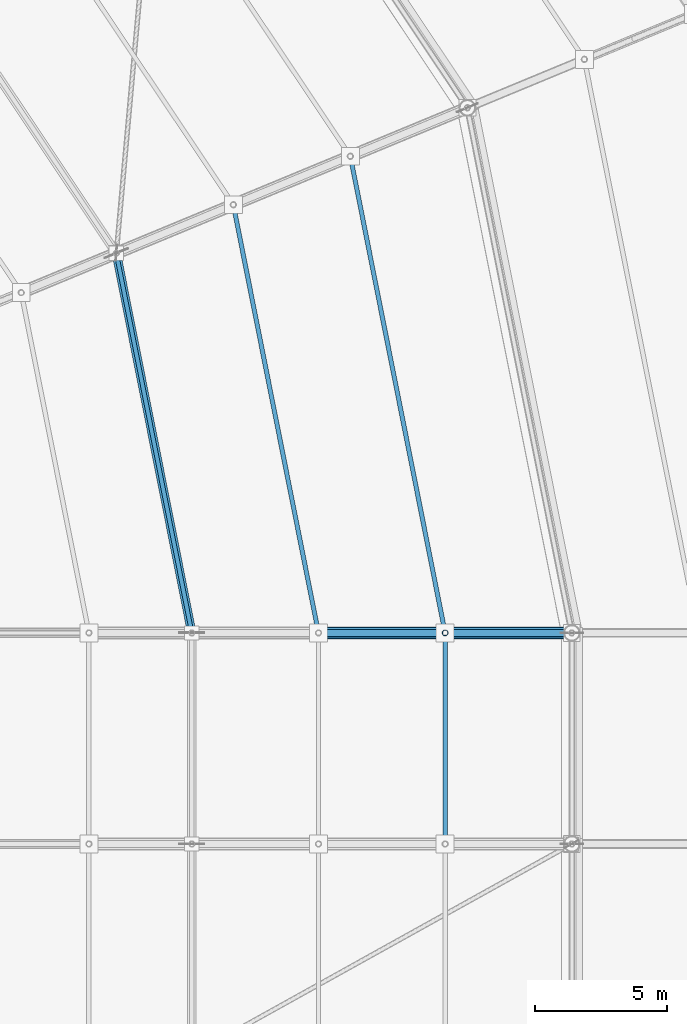
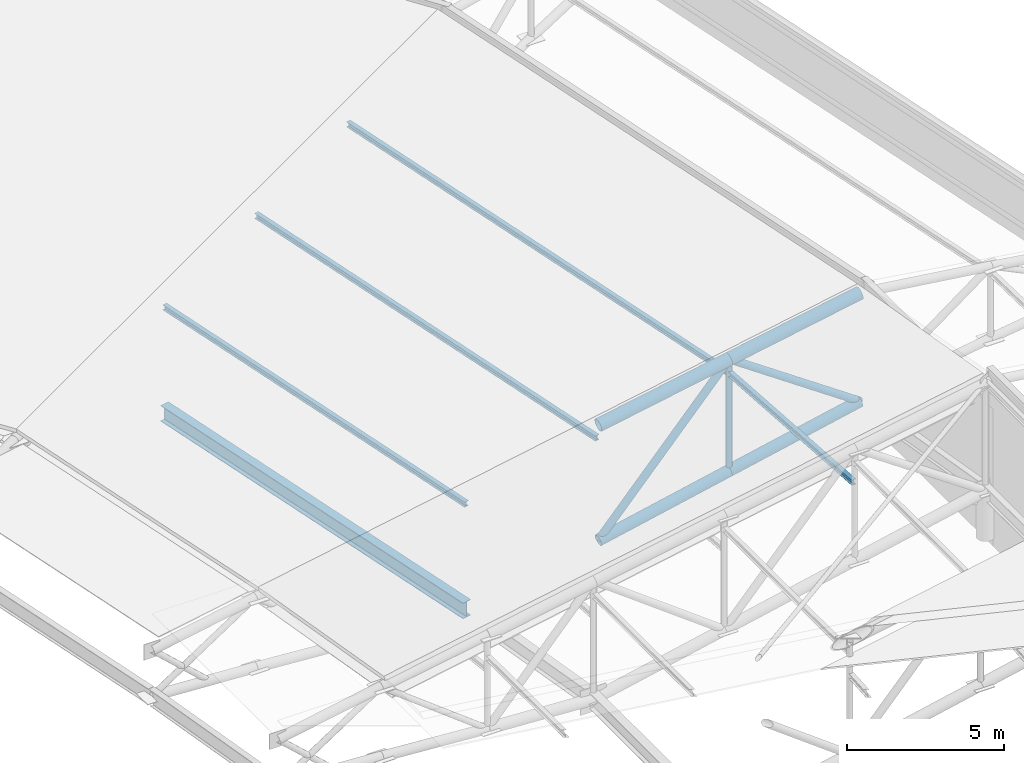
# One storey, part 76 of 146: 11 members, 1 beam.
"""IFC4 building model written with IfcOpenShell, lengths in metres."""

from ifc_helpers import new_model, si_unit, direction, frame, origin, origin_2d, place, context, subcontext, project, spatial, hollow_circle, i_section, extrude, material, material_profile, profile_set, type_object, element, save


model = new_model("IFC4")

# Units and contexts
model_context = context("Model", 3, precision=1e-05, world=origin(), true_north=direction((0.0, 1.0)))
body_context = subcontext(model_context, "Body", "Model", "MODEL_VIEW")
ifc_project = project(units=[si_unit("LENGTHUNIT", "METRE"), si_unit("AREAUNIT", "SQUARE_METRE"), si_unit("VOLUMEUNIT", "CUBIC_METRE"), si_unit("PLANEANGLEUNIT", "RADIAN"), si_unit("MASSUNIT", "GRAM", prefix="KILO")], contexts=[model_context])

# Site, building, storey
site_placement = place(None, origin())
site = spatial("IfcSite", under=ifc_project, at=site_placement, CompositionType="ELEMENT")
building_placement = place(site_placement, origin())
building = spatial("IfcBuilding", under=site, at=building_placement, Name="Candeia Ridge Stadium", CompositionType="ELEMENT")
storey_placement = place(building_placement, frame((0.0, 0.0, 31.800048828125)))
storey = spatial("IfcBuildingStorey", under=building, at=storey_placement, Name="RF", CompositionType="ELEMENT", Elevation=31.800048828125)

# Beam
ifc_material = material(Name="Steel ASTM A572 Grade 50", Category="steel")
ifc_material_profile_1 = material_profile(ifc_material, i_section(OverallWidth=0.324951171875, OverallDepth=0.615966796875, WebThickness=0.013916015625, FlangeThickness=0.021484375, FilletRadius=0.014892578125, at=origin_2d()), Name="W610x174", Category="steel")
ifc_profile_set_1 = profile_set([ifc_material_profile_1], Name="Steel ASTM A572 Grade 50")
beam_type = type_object("IfcBeamType", Name="Roof Compression Ring Beam W610x174", PredefinedType="BEAM", material=ifc_profile_set_1)
beam_placement = place(storey_placement, frame((178.59228515625, 95.039306640625, -2.6640625), z_axis=(-0.195102419364, 0.980782874014, 0.0), x_axis=(-0.980782874014, -0.195102419364, 0.0)))
element("IfcBeam", 1, at=beam_placement, inside=storey, type_object=beam_type, Name="Roof compression ring beam bay 33", PredefinedType="BEAM", context=body_context, shape_type="SweptSolid", body=[
    extrude(i_section(OverallWidth=0.324951171875, OverallDepth=0.615966796875, WebThickness=0.013916015625, FlangeThickness=0.021484375, FilletRadius=0.014892578125, at=origin_2d()), origin(), (0.0, 0.0, 1.0), 14.590576171875),
])

# Members
ifc_material_profile_2 = material_profile(ifc_material, i_section(OverallWidth=0.1650390625, OverallDepth=0.200927734375, WebThickness=0.006103515625, FlangeThickness=0.01025390625, FilletRadius=0.010009765625, at=origin_2d()), Name="W200x35.9", Category="steel")
ifc_profile_set_2 = profile_set([ifc_material_profile_2], Name="Steel ASTM A572 Grade 50")
member_type_1 = type_object("IfcMemberType", Name="Roof Purlin W200x35.9", PredefinedType="PURLIN", material=ifc_profile_set_2)
member_1_placement = place(storey_placement, frame((188.199951171875, 87.0498046875, 3.74853515625), z_axis=(0.0, 0.997559396595, -0.069822992376), x_axis=(-1.0, 0.0, 0.0)))
element("IfcMember", 2, at=member_1_placement, inside=storey, type_object=member_type_1, Name="Saddle roof steel purlin bay 32-4", PredefinedType="PURLIN", context=body_context, shape_type="SweptSolid", body=[
    extrude(i_section(OverallWidth=0.1650390625, OverallDepth=0.200927734375, WebThickness=0.006103515625, FlangeThickness=0.01025390625, FilletRadius=0.010009765625, at=origin_2d()), origin(), (0.0, 0.0, 1.0), 7.919677734375),
])
member_2_placement = place(storey_placement, frame((178.59033203125, 95.049072265625, 1.416015625), z_axis=(-0.195101033486, 0.980783149699, 0.0), x_axis=(-0.980783149699, -0.195101033486, 0.0)))
element("IfcMember", 3, at=member_2_placement, inside=storey, type_object=member_type_1, Name="Saddle roof steel purlin bay 33-2", PredefinedType="PURLIN", context=body_context, shape_type="SweptSolid", body=[
    extrude(i_section(OverallWidth=0.1650390625, OverallDepth=0.200927734375, WebThickness=0.006103515625, FlangeThickness=0.01025390625, FilletRadius=0.010009765625, at=origin_2d()), origin(), (0.0, 0.0, 1.0), 14.57080078125),
])
member_3_placement = place(storey_placement, frame((183.39013671875, 95.049072265625, 2.303955078125), z_axis=(-0.195091006457, 0.980785144259, 0.0), x_axis=(-0.980785144259, -0.195091006457, 0.0)))
element("IfcMember", 4, at=member_3_placement, inside=storey, type_object=member_type_1, Name="Saddle roof steel purlin bay 33-3", PredefinedType="PURLIN", context=body_context, shape_type="SweptSolid", body=[
    extrude(i_section(OverallWidth=0.1650390625, OverallDepth=0.200927734375, WebThickness=0.006103515625, FlangeThickness=0.01025390625, FilletRadius=0.010009765625, at=origin_2d()), origin(), (0.0, 0.0, 1.0), 16.443603515625),
])
member_4_placement = place(storey_placement, frame((188.190185546875, 95.049072265625, 3.19189453125), z_axis=(-0.19508302995, 0.980786730857, 0.0), x_axis=(-0.980786730857, -0.19508302995, 0.0)))
element("IfcMember", 5, at=member_4_placement, inside=storey, type_object=member_type_1, Name="Saddle roof steel purlin bay 33-4", PredefinedType="PURLIN", context=body_context, shape_type="SweptSolid", body=[
    extrude(i_section(OverallWidth=0.1650390625, OverallDepth=0.200927734375, WebThickness=0.006103515625, FlangeThickness=0.01025390625, FilletRadius=0.010009765625, at=origin_2d()), origin(), (0.0, 0.0, 1.0), 18.31640625),
])
ifc_material_profile_3 = material_profile(ifc_material, hollow_circle(Radius=0.136474609375, WallThickness=0.010009765625, at=origin_2d()), Name="CHS273x10", Category="steel")
ifc_profile_set_3 = profile_set([ifc_material_profile_3], Name="Steel ASTM A572 Grade 50")
member_type_2 = type_object("IfcMemberType", Name="Roof Truss Heavy Web Brace CHS273x10", PredefinedType="BRACE", material=ifc_profile_set_3)
member_5_placement = place(storey_placement, frame((183.39990234375, 95.0, -1.642822265625), z_axis=(0.667487252066, 0.0, 0.744621224737), x_axis=(0.0, 1.0, 0.0)))
element("IfcMember", 6, at=member_5_placement, inside=storey, type_object=member_type_2, Name="Roof cantilever truss RT-33 diagonal web 5", PredefinedType="BRACE", context=body_context, shape_type="SweptSolid", body=[
    extrude(hollow_circle(Radius=0.136474609375, WallThickness=0.010009765625, at=origin_2d()), origin(), (0.0, 0.0, 1.0), 7.191162109375),
])
member_6_placement = place(storey_placement, frame((188.199951171875, 95.0, 3.7119140625), z_axis=(0.823081876777, 0.0, -0.567922727245), x_axis=(0.0, 1.0, 0.0)))
element("IfcMember", 7, at=member_6_placement, inside=storey, type_object=member_type_2, Name="Roof cantilever truss RT-33 diagonal web 6", PredefinedType="BRACE", context=body_context, shape_type="SweptSolid", body=[
    extrude(hollow_circle(Radius=0.136474609375, WallThickness=0.010009765625, at=origin_2d()), origin(), (0.0, 0.0, 1.0), 5.831787109375),
])
ifc_material_profile_4 = material_profile(ifc_material, hollow_circle(Radius=0.109619140625, WallThickness=0.010009765625, at=origin_2d()), Name="CHS219x10", Category="steel")
ifc_profile_set_4 = profile_set([ifc_material_profile_4], Name="Steel ASTM A572 Grade 50")
member_type_3 = type_object("IfcMemberType", Name="Roof Truss Inner Web Brace CHS219x10", PredefinedType="BRACE", material=ifc_profile_set_4)
member_7_placement = place(storey_placement, frame((188.199951171875, 95.0, -0.621337890625), z_axis=(0.0, 0.0, 1.0), x_axis=(1.0, 0.0, 0.0)))
element("IfcMember", 8, at=member_7_placement, inside=storey, type_object=member_type_3, Name="Roof cantilever truss RT-33 vertical post 5", PredefinedType="BRACE", context=body_context, shape_type="SweptSolid", body=[
    extrude(hollow_circle(Radius=0.109619140625, WallThickness=0.010009765625, at=origin_2d()), origin(), (0.0, 0.0, 1.0), 4.333251953125),
])
ifc_material_profile_5 = material_profile(ifc_material, hollow_circle(Radius=0.228515625, WallThickness=0.02001953125, at=origin_2d()), Name="CHS457x20", Category="steel")
ifc_profile_set_5 = profile_set([ifc_material_profile_5], Name="Steel ASTM A572 Grade 50")
member_type_4 = type_object("IfcMemberType", Name="Roof Truss Main Chord CHS457x20", PredefinedType="CHORD", material=ifc_profile_set_5)
for number, where, z_axis, x_axis, name in (
    (9, (183.39990234375, 95.0, 2.823974609375), (0.983317142098, 0.0, 0.181899417416), (0.0, 1.0, 0.0), "Roof cantilever truss RT-33 top chord 5"),
    (10, (188.199951171875, 95.0, 3.7119140625), (0.983317142098, 0.0, 0.181899417416), (0.0, 1.0, 0.0), "Roof cantilever truss RT-33 top chord 6"),
):
    element("IfcMember", number, at=place(storey_placement, frame(where, z_axis=z_axis, x_axis=x_axis)), inside=storey, type_object=member_type_4, Name=name, PredefinedType="CHORD", context=body_context, shape_type="SweptSolid", body=[
        extrude(hollow_circle(Radius=0.228515625, WallThickness=0.02001953125, at=origin_2d()), origin(), (0.0, 0.0, 1.0), 4.881591796875),
    ])
ifc_material_profile_6 = material_profile(ifc_material, hollow_circle(Radius=0.202880859375, WallThickness=0.01611328125, at=origin_2d()), Name="CHS406x16", Category="steel")
ifc_profile_set_6 = profile_set([ifc_material_profile_6], Name="Steel ASTM A572 Grade 50")
member_type_5 = type_object("IfcMemberType", Name="Roof Truss Outer Chord CHS406x16", PredefinedType="CHORD", material=ifc_profile_set_6)
for number, where, z_axis, x_axis, name in (
    (11, (183.39990234375, 95.0, -1.642822265625), (0.978097741011, 0.0, 0.208146124225), (0.0, 1.0, 0.0), "Roof cantilever truss RT-33 bottom chord 5"),
    (12, (188.199951171875, 95.0, -0.621337890625), (0.97810786804, 0.0, 0.208098530696), (0.0, 1.0, 0.0), "Roof cantilever truss RT-33 bottom chord 6"),
):
    element("IfcMember", number, at=place(storey_placement, frame(where, z_axis=z_axis, x_axis=x_axis)), inside=storey, type_object=member_type_5, Name=name, PredefinedType="CHORD", context=body_context, shape_type="SweptSolid", body=[
        extrude(hollow_circle(Radius=0.202880859375, WallThickness=0.01611328125, at=origin_2d()), origin(), (0.0, 0.0, 1.0), 4.907470703125),
    ])

save(model, "model.ifc")
